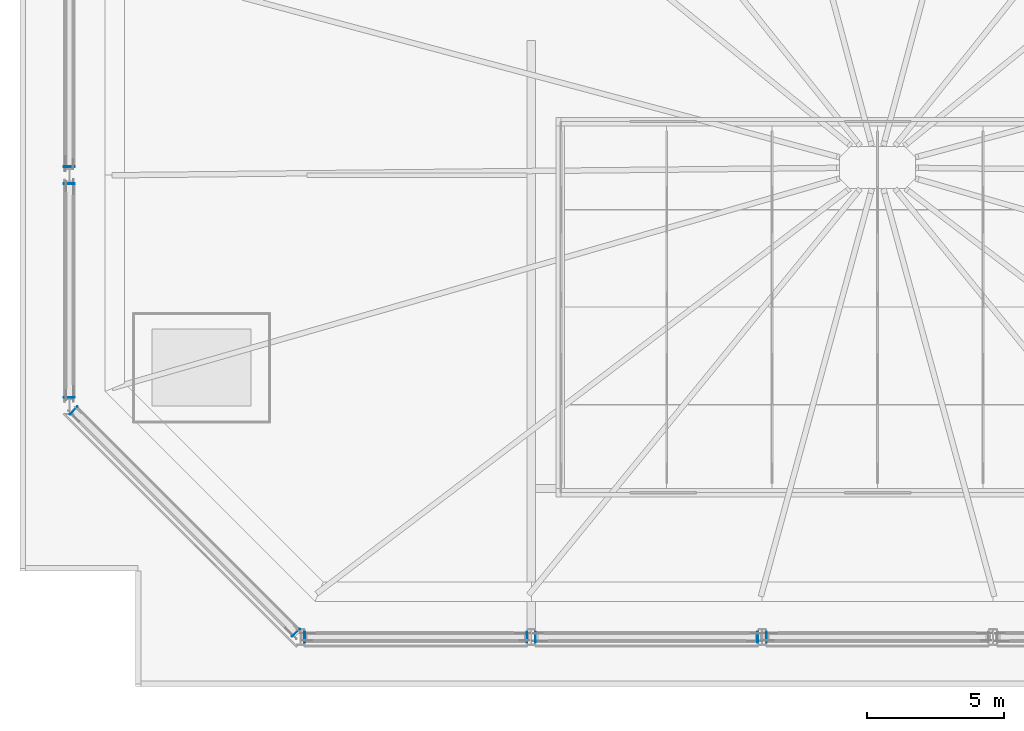
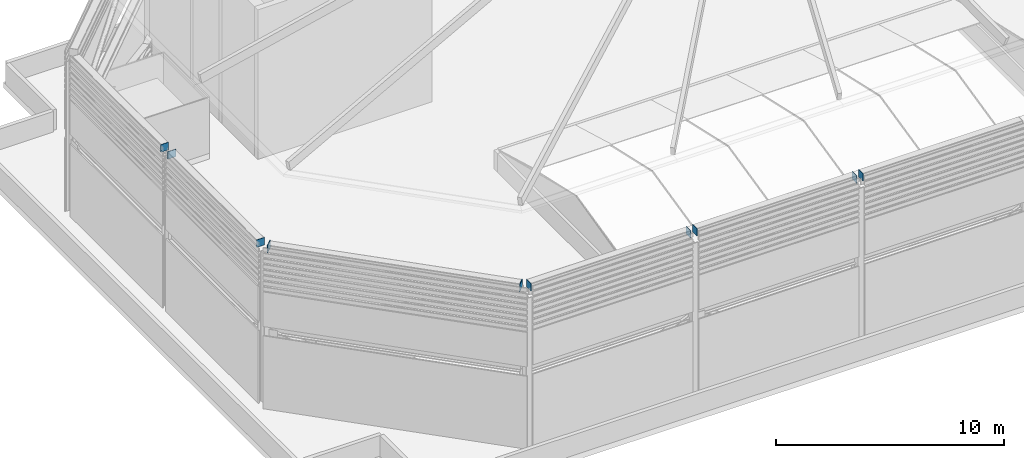
# One storey, part 8 of 22: 10 plates.
"""IFC4 building model written with IfcOpenShell, lengths in metres."""

from ifc_helpers import new_model, si_unit, direction, frame, origin, origin_2d, place, context, subcontext, project, spatial, rectangle, extrude, material, layer, layer_set, type_object, element, save


model = new_model("IFC4")

# Units and contexts
model_context = context("Model", 3, precision=1e-05, world=origin(), true_north=direction((0.0, 1.0)))
body_context = subcontext(model_context, "Body", "Model", "MODEL_VIEW")
ifc_project = project(units=[si_unit("LENGTHUNIT", "METRE"), si_unit("AREAUNIT", "SQUARE_METRE"), si_unit("VOLUMEUNIT", "CUBIC_METRE"), si_unit("PLANEANGLEUNIT", "RADIAN"), si_unit("MASSUNIT", "GRAM", prefix="KILO")], contexts=[model_context])

# Site, building, storey
site_placement = place(None, origin())
site = spatial("IfcSite", under=ifc_project, at=site_placement, CompositionType="ELEMENT")
building_placement = place(site_placement, origin())
building = spatial("IfcBuilding", under=site, at=building_placement, Name="Saffron Gate Tower", CompositionType="ELEMENT")
storey_placement = place(building_placement, frame((0.0, 0.0, 314.85009765625)))
storey = spatial("IfcBuildingStorey", under=building, at=storey_placement, Name="Roof crown", CompositionType="ELEMENT", Elevation=314.85009765625)

# Plates
ifc_material = material(Name="Structural steel S355", Category="steel")
ifc_layer = layer(ifc_material, 0.02001953125)
ifc_layer_set = layer_set([ifc_layer], Name="EP1 box end plate")
plate_type = type_object("IfcPlateType", Name="EP1 box end plate", PredefinedType="SHEET", material=ifc_layer_set)
for number, where, z_axis, x_axis, name in (
    (1, (66.760009765625, 40.199951171875, 8.25), (0.0, 0.0, 1.0), (1.0, 0.0, 0.0), "RING BEAM end plate"),
    (2, (74.840087890625, 40.199951171875, 8.25), (0.0, 0.0, 1.0), (1.0, 0.0, 0.0), "RING BEAM end plate"),
    (3, (75.159912109375, 40.199951171875, 8.25), (0.0, 0.0, 1.0), (1.0, 0.0, 0.0), "RING BEAM end plate"),
    (4, (83.239990234375, 40.199951171875, 8.25), (0.0, 0.0, 1.0), (1.0, 0.0, 0.0), "RING BEAM end plate"),
    (5, (83.56005859375, 40.199951171875, 8.25), (0.0, 0.0, 1.0), (1.0, 0.0, 0.0), "RING BEAM end plate"),
    (6, (58.199951171875, 57.31005859375, 8.25), (0.0, 0.0, 1.0), (0.0, -1.0, 0.0), "RING BEAM end plate"),
    (7, (58.199951171875, 56.68994140625, 8.25), (0.0, 0.0, 1.0), (0.0, -1.0, 0.0), "RING BEAM end plate"),
    (8, (58.199951171875, 48.909912109375, 8.25), (0.0, 0.0, 1.0), (0.0, -1.0, 0.0), "RING BEAM end plate"),
    (9, (58.35693359375, 48.443115234375, 8.25), (0.0, 0.0, 1.0), (0.707106781187, -0.707106781187, 0.0), "RING BEAM end plate"),
    (10, (66.443115234375, 40.35693359375, 8.25), (0.0, 0.0, 1.0), (0.707106781187, -0.707106781187, 0.0), "RING BEAM end plate"),
):
    element("IfcPlate", number, at=place(storey_placement, frame(where, z_axis=z_axis, x_axis=x_axis)), inside=storey, type_object=plate_type, Name=name, PredefinedType="SHEET", context=body_context, shape_type="SweptSolid", body=[
        extrude(rectangle(XDim=0.02001953125, YDim=0.39990234375, at=origin_2d()), origin(), (0.0, 0.0, 1.0), 0.39990234375),
    ])

save(model, "model.ifc")
